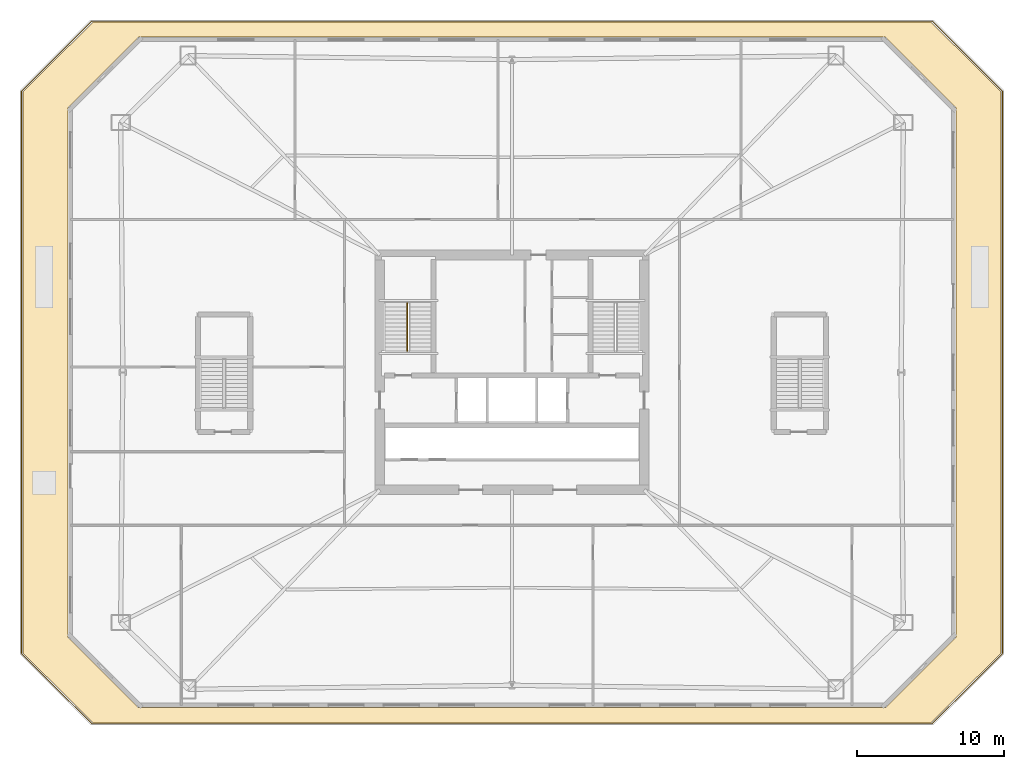
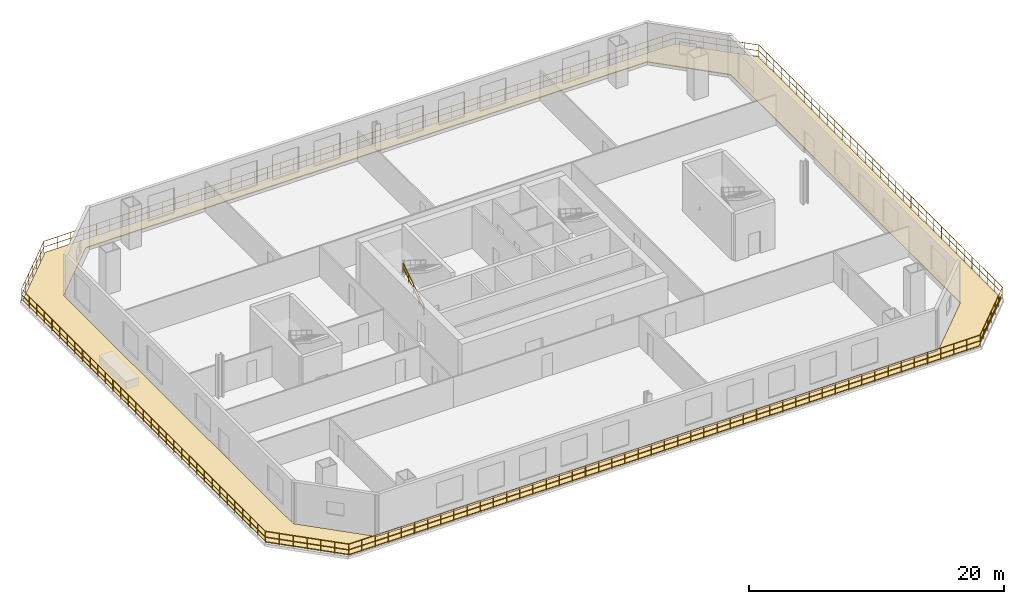
# One storey, part 7 of 8: 2 railings, 1 covering.
"""IFC4 building model written with IfcOpenShell, lengths in metres."""

from ifc_helpers import new_model, si_unit, direction, frame, origin, origin_2d, place, context, subcontext, project, spatial, polyline, circle, outline, extrude, material, layer, layer_set, type_object, element, save


model = new_model("IFC4")

# Units and contexts
model_context = context("Model", 3, precision=1e-05, world=origin(), true_north=direction((0.0, 1.0)))
body_context = subcontext(model_context, "Body", "Model", "MODEL_VIEW")
ifc_project = project(units=[si_unit("LENGTHUNIT", "METRE"), si_unit("AREAUNIT", "SQUARE_METRE"), si_unit("VOLUMEUNIT", "CUBIC_METRE"), si_unit("PLANEANGLEUNIT", "RADIAN"), si_unit("MASSUNIT", "GRAM", prefix="KILO")], contexts=[model_context])

# Site, building, storey
site_placement = place(None, origin())
site = spatial("IfcSite", under=ifc_project, at=site_placement, CompositionType="ELEMENT")
building_placement = place(site_placement, origin())
building = spatial("IfcBuilding", under=site, at=building_placement, Name="Caelvoria Tower", CompositionType="ELEMENT")
storey_placement = place(building_placement, frame((0.0, 0.0, 18.5)))
storey = spatial("IfcBuildingStorey", under=building, at=storey_placement, Name="L04", CompositionType="ELEMENT", Elevation=18.5)

# Railings
ifc_material_1 = material(Name="Bronze Anodised Aluminium and Stainless Steel", Category="steel")
railing_type_1 = type_object("IfcRailingType", Name="Exterior Terrace and Balcony Guardrail 1150", PredefinedType="GUARDRAIL", material=ifc_material_1)
railing_1_placement = place(storey_placement, frame((17.39208984375, 8.076904296875, 0.0)))
element("IfcRailing", 1, at=railing_1_placement, inside=storey, type_object=railing_type_1, Name="Terraced Podium Roof Guardrail L04", PredefinedType="GUARDRAIL", context=body_context, shape_type="SweptSolid", body=[
    extrude(circle(Radius=0.02392578125, at=origin_2d()), frame((0.0, 0.0, 1.1259765625), z_axis=(1.0, 0.0, 0.0), x_axis=(0.0, 1.0, 0.0)), (0.0, 0.0, 1.0), 57.2158203125),
    extrude(circle(Radius=0.02392578125, at=origin_2d()), frame((0.0, 0.0, 0.574951171875), z_axis=(1.0, 0.0, 0.0), x_axis=(0.0, 1.0, 0.0)), (0.0, 0.0, 1.0), 57.2158203125),
    extrude(circle(Radius=0.02392578125, at=origin_2d()), frame((57.2158203125, 0.0, 1.1259765625), z_axis=(0.707503495172, 0.706709844504, 0.0), x_axis=(-0.706709844504, 0.707503495172, 0.0)), (0.0, 0.0, 1.0), 6.767578125),
    extrude(circle(Radius=0.02392578125, at=origin_2d()), frame((57.2158203125, 0.0, 0.574951171875), z_axis=(0.707503495172, 0.706709844504, 0.0), x_axis=(-0.706709844504, 0.707503495172, 0.0)), (0.0, 0.0, 1.0), 6.767578125),
    extrude(circle(Radius=0.02392578125, at=origin_2d()), frame((62.00390625, 4.78271484375, 1.1259765625), z_axis=(0.0, 1.0, 0.0), x_axis=(-1.0, 0.0, 0.0)), (0.0, 0.0, 1.0), 38.28076171875),
    extrude(circle(Radius=0.02392578125, at=origin_2d()), frame((62.00390625, 4.78271484375, 0.574951171875), z_axis=(0.0, 1.0, 0.0), x_axis=(-1.0, 0.0, 0.0)), (0.0, 0.0, 1.0), 38.28076171875),
    extrude(circle(Radius=0.02392578125, at=origin_2d()), frame((62.00390625, 43.0634765625, 1.1259765625), z_axis=(-0.707503495172, 0.706709844504, 0.0), x_axis=(-0.706709844504, -0.707503495172, 0.0)), (0.0, 0.0, 1.0), 6.767578125),
    extrude(circle(Radius=0.02392578125, at=origin_2d()), frame((62.00390625, 43.0634765625, 0.574951171875), z_axis=(-0.707503495172, 0.706709844504, 0.0), x_axis=(-0.706709844504, -0.707503495172, 0.0)), (0.0, 0.0, 1.0), 6.767578125),
    extrude(circle(Radius=0.02392578125, at=origin_2d()), frame((57.2158203125, 47.84619140625, 1.1259765625), z_axis=(-1.0, 0.0, 0.0), x_axis=(0.0, -1.0, 0.0)), (0.0, 0.0, 1.0), 57.2158203125),
    extrude(circle(Radius=0.02392578125, at=origin_2d()), frame((57.2158203125, 47.84619140625, 0.574951171875), z_axis=(-1.0, 0.0, 0.0), x_axis=(0.0, -1.0, 0.0)), (0.0, 0.0, 1.0), 57.2158203125),
    extrude(circle(Radius=0.02392578125, at=origin_2d()), frame((0.0, 47.84619140625, 1.1259765625), z_axis=(-0.707503495172, -0.706709844504, 0.0), x_axis=(0.706709844504, -0.707503495172, 0.0)), (0.0, 0.0, 1.0), 6.767578125),
    extrude(circle(Radius=0.02392578125, at=origin_2d()), frame((0.0, 47.84619140625, 0.574951171875), z_axis=(-0.707503495172, -0.706709844504, 0.0), x_axis=(0.706709844504, -0.707503495172, 0.0)), (0.0, 0.0, 1.0), 6.767578125),
    extrude(circle(Radius=0.02392578125, at=origin_2d()), frame((-4.7880859375, 43.0634765625, 1.1259765625), z_axis=(0.0, -1.0, 0.0), x_axis=(1.0, 0.0, 0.0)), (0.0, 0.0, 1.0), 38.28076171875),
    extrude(circle(Radius=0.02392578125, at=origin_2d()), frame((-4.7880859375, 43.0634765625, 0.574951171875), z_axis=(0.0, -1.0, 0.0), x_axis=(1.0, 0.0, 0.0)), (0.0, 0.0, 1.0), 38.28076171875),
    extrude(circle(Radius=0.02392578125, at=origin_2d()), frame((-4.7880859375, 4.78271484375, 1.1259765625), z_axis=(0.707503495172, -0.706709844504, 0.0), x_axis=(0.706709844504, 0.707503495172, 0.0)), (0.0, 0.0, 1.0), 6.767578125),
    extrude(circle(Radius=0.02392578125, at=origin_2d()), frame((-4.7880859375, 4.78271484375, 0.574951171875), z_axis=(0.707503495172, -0.706709844504, 0.0), x_axis=(0.706709844504, 0.707503495172, 0.0)), (0.0, 0.0, 1.0), 6.767578125),
    extrude(circle(Radius=0.02099609375, at=origin_2d()), origin(), (0.0, 0.0, 1.0), 1.101806640625),
    extrude(circle(Radius=0.02099609375, at=origin_2d()), frame((1.19189453125, 0.0, 0.0)), (0.0, 0.0, 1.0), 1.101806640625),
    extrude(circle(Radius=0.02099609375, at=origin_2d()), frame((2.384033203125, 0.0, 0.0)), (0.0, 0.0, 1.0), 1.101806640625),
    extrude(circle(Radius=0.02099609375, at=origin_2d()), frame((3.575927734375, 0.0, 0.0)), (0.0, 0.0, 1.0), 1.101806640625),
    extrude(circle(Radius=0.02099609375, at=origin_2d()), frame((4.76806640625, 0.0, 0.0)), (0.0, 0.0, 1.0), 1.101806640625),
    extrude(circle(Radius=0.02099609375, at=origin_2d()), frame((5.9599609375, 0.0, 0.0)), (0.0, 0.0, 1.0), 1.101806640625),
    extrude(circle(Radius=0.02099609375, at=origin_2d()), frame((7.15185546875, 0.0, 0.0)), (0.0, 0.0, 1.0), 1.101806640625),
    extrude(circle(Radius=0.02099609375, at=origin_2d()), frame((8.343994140625, 0.0, 0.0)), (0.0, 0.0, 1.0), 1.101806640625),
    extrude(circle(Radius=0.02099609375, at=origin_2d()), frame((9.535888671875, 0.0, 0.0)), (0.0, 0.0, 1.0), 1.101806640625),
    extrude(circle(Radius=0.02099609375, at=origin_2d()), frame((10.72802734375, 0.0, 0.0)), (0.0, 0.0, 1.0), 1.101806640625),
    extrude(circle(Radius=0.02099609375, at=origin_2d()), frame((11.919921875, 0.0, 0.0)), (0.0, 0.0, 1.0), 1.101806640625),
    extrude(circle(Radius=0.02099609375, at=origin_2d()), frame((13.112060546875, 0.0, 0.0)), (0.0, 0.0, 1.0), 1.101806640625),
    extrude(circle(Radius=0.02099609375, at=origin_2d()), frame((14.303955078125, 0.0, 0.0)), (0.0, 0.0, 1.0), 1.101806640625),
    extrude(circle(Radius=0.02099609375, at=origin_2d()), frame((15.495849609375, 0.0, 0.0)), (0.0, 0.0, 1.0), 1.101806640625),
    extrude(circle(Radius=0.02099609375, at=origin_2d()), frame((16.68798828125, 0.0, 0.0)), (0.0, 0.0, 1.0), 1.101806640625),
    extrude(circle(Radius=0.02099609375, at=origin_2d()), frame((17.8798828125, 0.0, 0.0)), (0.0, 0.0, 1.0), 1.101806640625),
    extrude(circle(Radius=0.02099609375, at=origin_2d()), frame((19.072021484375, 0.0, 0.0)), (0.0, 0.0, 1.0), 1.101806640625),
    extrude(circle(Radius=0.02099609375, at=origin_2d()), frame((20.263916015625, 0.0, 0.0)), (0.0, 0.0, 1.0), 1.101806640625),
    extrude(circle(Radius=0.02099609375, at=origin_2d()), frame((21.4560546875, 0.0, 0.0)), (0.0, 0.0, 1.0), 1.101806640625),
    extrude(circle(Radius=0.02099609375, at=origin_2d()), frame((22.64794921875, 0.0, 0.0)), (0.0, 0.0, 1.0), 1.101806640625),
    extrude(circle(Radius=0.02099609375, at=origin_2d()), frame((23.83984375, 0.0, 0.0)), (0.0, 0.0, 1.0), 1.101806640625),
    extrude(circle(Radius=0.02099609375, at=origin_2d()), frame((25.031982421875, 0.0, 0.0)), (0.0, 0.0, 1.0), 1.101806640625),
    extrude(circle(Radius=0.02099609375, at=origin_2d()), frame((26.223876953125, 0.0, 0.0)), (0.0, 0.0, 1.0), 1.101806640625),
    extrude(circle(Radius=0.02099609375, at=origin_2d()), frame((27.416015625, 0.0, 0.0)), (0.0, 0.0, 1.0), 1.101806640625),
    extrude(circle(Radius=0.02099609375, at=origin_2d()), frame((28.60791015625, 0.0, 0.0)), (0.0, 0.0, 1.0), 1.101806640625),
    extrude(circle(Radius=0.02099609375, at=origin_2d()), frame((29.7998046875, 0.0, 0.0)), (0.0, 0.0, 1.0), 1.101806640625),
    extrude(circle(Radius=0.02099609375, at=origin_2d()), frame((30.991943359375, 0.0, 0.0)), (0.0, 0.0, 1.0), 1.101806640625),
    extrude(circle(Radius=0.02099609375, at=origin_2d()), frame((32.183837890625, 0.0, 0.0)), (0.0, 0.0, 1.0), 1.101806640625),
    extrude(circle(Radius=0.02099609375, at=origin_2d()), frame((33.3759765625, 0.0, 0.0)), (0.0, 0.0, 1.0), 1.101806640625),
    extrude(circle(Radius=0.02099609375, at=origin_2d()), frame((34.56787109375, 0.0, 0.0)), (0.0, 0.0, 1.0), 1.101806640625),
    extrude(circle(Radius=0.02099609375, at=origin_2d()), frame((35.759765625, 0.0, 0.0)), (0.0, 0.0, 1.0), 1.101806640625),
    extrude(circle(Radius=0.02099609375, at=origin_2d()), frame((36.951904296875, 0.0, 0.0)), (0.0, 0.0, 1.0), 1.101806640625),
    extrude(circle(Radius=0.02099609375, at=origin_2d()), frame((38.143798828125, 0.0, 0.0)), (0.0, 0.0, 1.0), 1.101806640625),
    extrude(circle(Radius=0.02099609375, at=origin_2d()), frame((39.3359375, 0.0, 0.0)), (0.0, 0.0, 1.0), 1.101806640625),
    extrude(circle(Radius=0.02099609375, at=origin_2d()), frame((40.52783203125, 0.0, 0.0)), (0.0, 0.0, 1.0), 1.101806640625),
    extrude(circle(Radius=0.02099609375, at=origin_2d()), frame((41.719970703125, 0.0, 0.0)), (0.0, 0.0, 1.0), 1.101806640625),
    extrude(circle(Radius=0.02099609375, at=origin_2d()), frame((42.911865234375, 0.0, 0.0)), (0.0, 0.0, 1.0), 1.101806640625),
    extrude(circle(Radius=0.02099609375, at=origin_2d()), frame((44.103759765625, 0.0, 0.0)), (0.0, 0.0, 1.0), 1.101806640625),
    extrude(circle(Radius=0.02099609375, at=origin_2d()), frame((45.2958984375, 0.0, 0.0)), (0.0, 0.0, 1.0), 1.101806640625),
    extrude(circle(Radius=0.02099609375, at=origin_2d()), frame((46.48779296875, 0.0, 0.0)), (0.0, 0.0, 1.0), 1.101806640625),
    extrude(circle(Radius=0.02099609375, at=origin_2d()), frame((47.679931640625, 0.0, 0.0)), (0.0, 0.0, 1.0), 1.101806640625),
    extrude(circle(Radius=0.02099609375, at=origin_2d()), frame((48.871826171875, 0.0, 0.0)), (0.0, 0.0, 1.0), 1.101806640625),
    extrude(circle(Radius=0.02099609375, at=origin_2d()), frame((50.06396484375, 0.0, 0.0)), (0.0, 0.0, 1.0), 1.101806640625),
    extrude(circle(Radius=0.02099609375, at=origin_2d()), frame((51.255859375, 0.0, 0.0)), (0.0, 0.0, 1.0), 1.101806640625),
    extrude(circle(Radius=0.02099609375, at=origin_2d()), frame((52.44775390625, 0.0, 0.0)), (0.0, 0.0, 1.0), 1.101806640625),
    extrude(circle(Radius=0.02099609375, at=origin_2d()), frame((53.639892578125, 0.0, 0.0)), (0.0, 0.0, 1.0), 1.101806640625),
    extrude(circle(Radius=0.02099609375, at=origin_2d()), frame((54.831787109375, 0.0, 0.0)), (0.0, 0.0, 1.0), 1.101806640625),
    extrude(circle(Radius=0.02099609375, at=origin_2d()), frame((56.02392578125, 0.0, 0.0)), (0.0, 0.0, 1.0), 1.101806640625),
    extrude(circle(Radius=0.02099609375, at=origin_2d()), frame((57.2158203125, 0.0, 0.0)), (0.0, 0.0, 1.0), 1.101806640625),
    extrude(circle(Radius=0.02099609375, at=origin_2d()), frame((58.013916015625, 0.797119140625, 0.0)), (0.0, 0.0, 1.0), 1.101806640625),
    extrude(circle(Radius=0.02099609375, at=origin_2d()), frame((58.811767578125, 1.59423828125, 0.0)), (0.0, 0.0, 1.0), 1.101806640625),
    extrude(circle(Radius=0.02099609375, at=origin_2d()), frame((59.60986328125, 2.391357421875, 0.0)), (0.0, 0.0, 1.0), 1.101806640625),
    extrude(circle(Radius=0.02099609375, at=origin_2d()), frame((60.407958984375, 3.1884765625, 0.0)), (0.0, 0.0, 1.0), 1.101806640625),
    extrude(circle(Radius=0.02099609375, at=origin_2d()), frame((61.205810546875, 3.985595703125, 0.0)), (0.0, 0.0, 1.0), 1.101806640625),
    extrude(circle(Radius=0.02099609375, at=origin_2d()), frame((62.00390625, 4.78271484375, 0.0)), (0.0, 0.0, 1.0), 1.101806640625),
    extrude(circle(Radius=0.02099609375, at=origin_2d()), frame((62.00390625, 5.97900390625, 0.0)), (0.0, 0.0, 1.0), 1.101806640625),
    extrude(circle(Radius=0.02099609375, at=origin_2d()), frame((62.00390625, 7.17529296875, 0.0)), (0.0, 0.0, 1.0), 1.101806640625),
    extrude(circle(Radius=0.02099609375, at=origin_2d()), frame((62.00390625, 8.37158203125, 0.0)), (0.0, 0.0, 1.0), 1.101806640625),
    extrude(circle(Radius=0.02099609375, at=origin_2d()), frame((62.00390625, 9.56787109375, 0.0)), (0.0, 0.0, 1.0), 1.101806640625),
    extrude(circle(Radius=0.02099609375, at=origin_2d()), frame((62.00390625, 10.76416015625, 0.0)), (0.0, 0.0, 1.0), 1.101806640625),
    extrude(circle(Radius=0.02099609375, at=origin_2d()), frame((62.00390625, 11.96044921875, 0.0)), (0.0, 0.0, 1.0), 1.101806640625),
    extrude(circle(Radius=0.02099609375, at=origin_2d()), frame((62.00390625, 13.15673828125, 0.0)), (0.0, 0.0, 1.0), 1.101806640625),
    extrude(circle(Radius=0.02099609375, at=origin_2d()), frame((62.00390625, 14.35302734375, 0.0)), (0.0, 0.0, 1.0), 1.101806640625),
    extrude(circle(Radius=0.02099609375, at=origin_2d()), frame((62.00390625, 15.549072265625, 0.0)), (0.0, 0.0, 1.0), 1.101806640625),
    extrude(circle(Radius=0.02099609375, at=origin_2d()), frame((62.00390625, 16.745361328125, 0.0)), (0.0, 0.0, 1.0), 1.101806640625),
    extrude(circle(Radius=0.02099609375, at=origin_2d()), frame((62.00390625, 17.941650390625, 0.0)), (0.0, 0.0, 1.0), 1.101806640625),
    extrude(circle(Radius=0.02099609375, at=origin_2d()), frame((62.00390625, 19.137939453125, 0.0)), (0.0, 0.0, 1.0), 1.101806640625),
    extrude(circle(Radius=0.02099609375, at=origin_2d()), frame((62.00390625, 20.334228515625, 0.0)), (0.0, 0.0, 1.0), 1.101806640625),
    extrude(circle(Radius=0.02099609375, at=origin_2d()), frame((62.00390625, 21.530517578125, 0.0)), (0.0, 0.0, 1.0), 1.101806640625),
    extrude(circle(Radius=0.02099609375, at=origin_2d()), frame((62.00390625, 22.726806640625, 0.0)), (0.0, 0.0, 1.0), 1.101806640625),
    extrude(circle(Radius=0.02099609375, at=origin_2d()), frame((62.00390625, 23.923095703125, 0.0)), (0.0, 0.0, 1.0), 1.101806640625),
    extrude(circle(Radius=0.02099609375, at=origin_2d()), frame((62.00390625, 25.119384765625, 0.0)), (0.0, 0.0, 1.0), 1.101806640625),
    extrude(circle(Radius=0.02099609375, at=origin_2d()), frame((62.00390625, 26.315673828125, 0.0)), (0.0, 0.0, 1.0), 1.101806640625),
    extrude(circle(Radius=0.02099609375, at=origin_2d()), frame((62.00390625, 27.511962890625, 0.0)), (0.0, 0.0, 1.0), 1.101806640625),
    extrude(circle(Radius=0.02099609375, at=origin_2d()), frame((62.00390625, 28.708251953125, 0.0)), (0.0, 0.0, 1.0), 1.101806640625),
    extrude(circle(Radius=0.02099609375, at=origin_2d()), frame((62.00390625, 29.904541015625, 0.0)), (0.0, 0.0, 1.0), 1.101806640625),
    extrude(circle(Radius=0.02099609375, at=origin_2d()), frame((62.00390625, 31.100830078125, 0.0)), (0.0, 0.0, 1.0), 1.101806640625),
    extrude(circle(Radius=0.02099609375, at=origin_2d()), frame((62.00390625, 32.297119140625, 0.0)), (0.0, 0.0, 1.0), 1.101806640625),
    extrude(circle(Radius=0.02099609375, at=origin_2d()), frame((62.00390625, 33.4931640625, 0.0)), (0.0, 0.0, 1.0), 1.101806640625),
    extrude(circle(Radius=0.02099609375, at=origin_2d()), frame((62.00390625, 34.689453125, 0.0)), (0.0, 0.0, 1.0), 1.101806640625),
    extrude(circle(Radius=0.02099609375, at=origin_2d()), frame((62.00390625, 35.8857421875, 0.0)), (0.0, 0.0, 1.0), 1.101806640625),
    extrude(circle(Radius=0.02099609375, at=origin_2d()), frame((62.00390625, 37.08203125, 0.0)), (0.0, 0.0, 1.0), 1.101806640625),
    extrude(circle(Radius=0.02099609375, at=origin_2d()), frame((62.00390625, 38.2783203125, 0.0)), (0.0, 0.0, 1.0), 1.101806640625),
    extrude(circle(Radius=0.02099609375, at=origin_2d()), frame((62.00390625, 39.474609375, 0.0)), (0.0, 0.0, 1.0), 1.101806640625),
    extrude(circle(Radius=0.02099609375, at=origin_2d()), frame((62.00390625, 40.6708984375, 0.0)), (0.0, 0.0, 1.0), 1.101806640625),
    extrude(circle(Radius=0.02099609375, at=origin_2d()), frame((62.00390625, 41.8671875, 0.0)), (0.0, 0.0, 1.0), 1.101806640625),
    extrude(circle(Radius=0.02099609375, at=origin_2d()), frame((62.00390625, 43.0634765625, 0.0)), (0.0, 0.0, 1.0), 1.101806640625),
    extrude(circle(Radius=0.02099609375, at=origin_2d()), frame((61.205810546875, 43.860595703125, 0.0)), (0.0, 0.0, 1.0), 1.101806640625),
    extrude(circle(Radius=0.02099609375, at=origin_2d()), frame((60.407958984375, 44.65771484375, 0.0)), (0.0, 0.0, 1.0), 1.101806640625),
    extrude(circle(Radius=0.02099609375, at=origin_2d()), frame((59.60986328125, 45.454833984375, 0.0)), (0.0, 0.0, 1.0), 1.101806640625),
    extrude(circle(Radius=0.02099609375, at=origin_2d()), frame((58.811767578125, 46.251953125, 0.0)), (0.0, 0.0, 1.0), 1.101806640625),
    extrude(circle(Radius=0.02099609375, at=origin_2d()), frame((58.013916015625, 47.049072265625, 0.0)), (0.0, 0.0, 1.0), 1.101806640625),
    extrude(circle(Radius=0.02099609375, at=origin_2d()), frame((57.2158203125, 47.84619140625, 0.0)), (0.0, 0.0, 1.0), 1.101806640625),
    extrude(circle(Radius=0.02099609375, at=origin_2d()), frame((56.02392578125, 47.84619140625, 0.0)), (0.0, 0.0, 1.0), 1.101806640625),
    extrude(circle(Radius=0.02099609375, at=origin_2d()), frame((54.831787109375, 47.84619140625, 0.0)), (0.0, 0.0, 1.0), 1.101806640625),
    extrude(circle(Radius=0.02099609375, at=origin_2d()), frame((53.639892578125, 47.84619140625, 0.0)), (0.0, 0.0, 1.0), 1.101806640625),
    extrude(circle(Radius=0.02099609375, at=origin_2d()), frame((52.44775390625, 47.84619140625, 0.0)), (0.0, 0.0, 1.0), 1.101806640625),
    extrude(circle(Radius=0.02099609375, at=origin_2d()), frame((51.255859375, 47.84619140625, 0.0)), (0.0, 0.0, 1.0), 1.101806640625),
    extrude(circle(Radius=0.02099609375, at=origin_2d()), frame((50.06396484375, 47.84619140625, 0.0)), (0.0, 0.0, 1.0), 1.101806640625),
    extrude(circle(Radius=0.02099609375, at=origin_2d()), frame((48.871826171875, 47.84619140625, 0.0)), (0.0, 0.0, 1.0), 1.101806640625),
    extrude(circle(Radius=0.02099609375, at=origin_2d()), frame((47.679931640625, 47.84619140625, 0.0)), (0.0, 0.0, 1.0), 1.101806640625),
    extrude(circle(Radius=0.02099609375, at=origin_2d()), frame((46.48779296875, 47.84619140625, 0.0)), (0.0, 0.0, 1.0), 1.101806640625),
    extrude(circle(Radius=0.02099609375, at=origin_2d()), frame((45.2958984375, 47.84619140625, 0.0)), (0.0, 0.0, 1.0), 1.101806640625),
    extrude(circle(Radius=0.02099609375, at=origin_2d()), frame((44.103759765625, 47.84619140625, 0.0)), (0.0, 0.0, 1.0), 1.101806640625),
    extrude(circle(Radius=0.02099609375, at=origin_2d()), frame((42.911865234375, 47.84619140625, 0.0)), (0.0, 0.0, 1.0), 1.101806640625),
    extrude(circle(Radius=0.02099609375, at=origin_2d()), frame((41.719970703125, 47.84619140625, 0.0)), (0.0, 0.0, 1.0), 1.101806640625),
    extrude(circle(Radius=0.02099609375, at=origin_2d()), frame((40.52783203125, 47.84619140625, 0.0)), (0.0, 0.0, 1.0), 1.101806640625),
    extrude(circle(Radius=0.02099609375, at=origin_2d()), frame((39.3359375, 47.84619140625, 0.0)), (0.0, 0.0, 1.0), 1.101806640625),
    extrude(circle(Radius=0.02099609375, at=origin_2d()), frame((38.143798828125, 47.84619140625, 0.0)), (0.0, 0.0, 1.0), 1.101806640625),
    extrude(circle(Radius=0.02099609375, at=origin_2d()), frame((36.951904296875, 47.84619140625, 0.0)), (0.0, 0.0, 1.0), 1.101806640625),
    extrude(circle(Radius=0.02099609375, at=origin_2d()), frame((35.759765625, 47.84619140625, 0.0)), (0.0, 0.0, 1.0), 1.101806640625),
    extrude(circle(Radius=0.02099609375, at=origin_2d()), frame((34.56787109375, 47.84619140625, 0.0)), (0.0, 0.0, 1.0), 1.101806640625),
    extrude(circle(Radius=0.02099609375, at=origin_2d()), frame((33.3759765625, 47.84619140625, 0.0)), (0.0, 0.0, 1.0), 1.101806640625),
    extrude(circle(Radius=0.02099609375, at=origin_2d()), frame((32.183837890625, 47.84619140625, 0.0)), (0.0, 0.0, 1.0), 1.101806640625),
    extrude(circle(Radius=0.02099609375, at=origin_2d()), frame((30.991943359375, 47.84619140625, 0.0)), (0.0, 0.0, 1.0), 1.101806640625),
    extrude(circle(Radius=0.02099609375, at=origin_2d()), frame((29.7998046875, 47.84619140625, 0.0)), (0.0, 0.0, 1.0), 1.101806640625),
    extrude(circle(Radius=0.02099609375, at=origin_2d()), frame((28.60791015625, 47.84619140625, 0.0)), (0.0, 0.0, 1.0), 1.101806640625),
    extrude(circle(Radius=0.02099609375, at=origin_2d()), frame((27.416015625, 47.84619140625, 0.0)), (0.0, 0.0, 1.0), 1.101806640625),
    extrude(circle(Radius=0.02099609375, at=origin_2d()), frame((26.223876953125, 47.84619140625, 0.0)), (0.0, 0.0, 1.0), 1.101806640625),
    extrude(circle(Radius=0.02099609375, at=origin_2d()), frame((25.031982421875, 47.84619140625, 0.0)), (0.0, 0.0, 1.0), 1.101806640625),
    extrude(circle(Radius=0.02099609375, at=origin_2d()), frame((23.83984375, 47.84619140625, 0.0)), (0.0, 0.0, 1.0), 1.101806640625),
    extrude(circle(Radius=0.02099609375, at=origin_2d()), frame((22.64794921875, 47.84619140625, 0.0)), (0.0, 0.0, 1.0), 1.101806640625),
    extrude(circle(Radius=0.02099609375, at=origin_2d()), frame((21.4560546875, 47.84619140625, 0.0)), (0.0, 0.0, 1.0), 1.101806640625),
    extrude(circle(Radius=0.02099609375, at=origin_2d()), frame((20.263916015625, 47.84619140625, 0.0)), (0.0, 0.0, 1.0), 1.101806640625),
    extrude(circle(Radius=0.02099609375, at=origin_2d()), frame((19.072021484375, 47.84619140625, 0.0)), (0.0, 0.0, 1.0), 1.101806640625),
    extrude(circle(Radius=0.02099609375, at=origin_2d()), frame((17.8798828125, 47.84619140625, 0.0)), (0.0, 0.0, 1.0), 1.101806640625),
    extrude(circle(Radius=0.02099609375, at=origin_2d()), frame((16.68798828125, 47.84619140625, 0.0)), (0.0, 0.0, 1.0), 1.101806640625),
    extrude(circle(Radius=0.02099609375, at=origin_2d()), frame((15.495849609375, 47.84619140625, 0.0)), (0.0, 0.0, 1.0), 1.101806640625),
    extrude(circle(Radius=0.02099609375, at=origin_2d()), frame((14.303955078125, 47.84619140625, 0.0)), (0.0, 0.0, 1.0), 1.101806640625),
    extrude(circle(Radius=0.02099609375, at=origin_2d()), frame((13.112060546875, 47.84619140625, 0.0)), (0.0, 0.0, 1.0), 1.101806640625),
    extrude(circle(Radius=0.02099609375, at=origin_2d()), frame((11.919921875, 47.84619140625, 0.0)), (0.0, 0.0, 1.0), 1.101806640625),
    extrude(circle(Radius=0.02099609375, at=origin_2d()), frame((10.72802734375, 47.84619140625, 0.0)), (0.0, 0.0, 1.0), 1.101806640625),
    extrude(circle(Radius=0.02099609375, at=origin_2d()), frame((9.535888671875, 47.84619140625, 0.0)), (0.0, 0.0, 1.0), 1.101806640625),
    extrude(circle(Radius=0.02099609375, at=origin_2d()), frame((8.343994140625, 47.84619140625, 0.0)), (0.0, 0.0, 1.0), 1.101806640625),
    extrude(circle(Radius=0.02099609375, at=origin_2d()), frame((7.15185546875, 47.84619140625, 0.0)), (0.0, 0.0, 1.0), 1.101806640625),
    extrude(circle(Radius=0.02099609375, at=origin_2d()), frame((5.9599609375, 47.84619140625, 0.0)), (0.0, 0.0, 1.0), 1.101806640625),
    extrude(circle(Radius=0.02099609375, at=origin_2d()), frame((4.76806640625, 47.84619140625, 0.0)), (0.0, 0.0, 1.0), 1.101806640625),
    extrude(circle(Radius=0.02099609375, at=origin_2d()), frame((3.575927734375, 47.84619140625, 0.0)), (0.0, 0.0, 1.0), 1.101806640625),
    extrude(circle(Radius=0.02099609375, at=origin_2d()), frame((2.384033203125, 47.84619140625, 0.0)), (0.0, 0.0, 1.0), 1.101806640625),
    extrude(circle(Radius=0.02099609375, at=origin_2d()), frame((1.19189453125, 47.84619140625, 0.0)), (0.0, 0.0, 1.0), 1.101806640625),
    extrude(circle(Radius=0.02099609375, at=origin_2d()), frame((0.0, 47.84619140625, 0.0)), (0.0, 0.0, 1.0), 1.101806640625),
    extrude(circle(Radius=0.02099609375, at=origin_2d()), frame((-0.798095703125, 47.049072265625, 0.0)), (0.0, 0.0, 1.0), 1.101806640625),
    extrude(circle(Radius=0.02099609375, at=origin_2d()), frame((-1.595947265625, 46.251953125, 0.0)), (0.0, 0.0, 1.0), 1.101806640625),
    extrude(circle(Radius=0.02099609375, at=origin_2d()), frame((-2.39404296875, 45.454833984375, 0.0)), (0.0, 0.0, 1.0), 1.101806640625),
    extrude(circle(Radius=0.02099609375, at=origin_2d()), frame((-3.192138671875, 44.65771484375, 0.0)), (0.0, 0.0, 1.0), 1.101806640625),
    extrude(circle(Radius=0.02099609375, at=origin_2d()), frame((-3.989990234375, 43.860595703125, 0.0)), (0.0, 0.0, 1.0), 1.101806640625),
    extrude(circle(Radius=0.02099609375, at=origin_2d()), frame((-4.7880859375, 43.0634765625, 0.0)), (0.0, 0.0, 1.0), 1.101806640625),
    extrude(circle(Radius=0.02099609375, at=origin_2d()), frame((-4.7880859375, 41.8671875, 0.0)), (0.0, 0.0, 1.0), 1.101806640625),
    extrude(circle(Radius=0.02099609375, at=origin_2d()), frame((-4.7880859375, 40.6708984375, 0.0)), (0.0, 0.0, 1.0), 1.101806640625),
    extrude(circle(Radius=0.02099609375, at=origin_2d()), frame((-4.7880859375, 39.474609375, 0.0)), (0.0, 0.0, 1.0), 1.101806640625),
    extrude(circle(Radius=0.02099609375, at=origin_2d()), frame((-4.7880859375, 38.2783203125, 0.0)), (0.0, 0.0, 1.0), 1.101806640625),
    extrude(circle(Radius=0.02099609375, at=origin_2d()), frame((-4.7880859375, 37.08203125, 0.0)), (0.0, 0.0, 1.0), 1.101806640625),
    extrude(circle(Radius=0.02099609375, at=origin_2d()), frame((-4.7880859375, 35.8857421875, 0.0)), (0.0, 0.0, 1.0), 1.101806640625),
    extrude(circle(Radius=0.02099609375, at=origin_2d()), frame((-4.7880859375, 34.689453125, 0.0)), (0.0, 0.0, 1.0), 1.101806640625),
    extrude(circle(Radius=0.02099609375, at=origin_2d()), frame((-4.7880859375, 33.4931640625, 0.0)), (0.0, 0.0, 1.0), 1.101806640625),
    extrude(circle(Radius=0.02099609375, at=origin_2d()), frame((-4.7880859375, 32.297119140625, 0.0)), (0.0, 0.0, 1.0), 1.101806640625),
    extrude(circle(Radius=0.02099609375, at=origin_2d()), frame((-4.7880859375, 31.100830078125, 0.0)), (0.0, 0.0, 1.0), 1.101806640625),
    extrude(circle(Radius=0.02099609375, at=origin_2d()), frame((-4.7880859375, 29.904541015625, 0.0)), (0.0, 0.0, 1.0), 1.101806640625),
    extrude(circle(Radius=0.02099609375, at=origin_2d()), frame((-4.7880859375, 28.708251953125, 0.0)), (0.0, 0.0, 1.0), 1.101806640625),
    extrude(circle(Radius=0.02099609375, at=origin_2d()), frame((-4.7880859375, 27.511962890625, 0.0)), (0.0, 0.0, 1.0), 1.101806640625),
    extrude(circle(Radius=0.02099609375, at=origin_2d()), frame((-4.7880859375, 26.315673828125, 0.0)), (0.0, 0.0, 1.0), 1.101806640625),
    extrude(circle(Radius=0.02099609375, at=origin_2d()), frame((-4.7880859375, 25.119384765625, 0.0)), (0.0, 0.0, 1.0), 1.101806640625),
    extrude(circle(Radius=0.02099609375, at=origin_2d()), frame((-4.7880859375, 23.923095703125, 0.0)), (0.0, 0.0, 1.0), 1.101806640625),
    extrude(circle(Radius=0.02099609375, at=origin_2d()), frame((-4.7880859375, 22.726806640625, 0.0)), (0.0, 0.0, 1.0), 1.101806640625),
    extrude(circle(Radius=0.02099609375, at=origin_2d()), frame((-4.7880859375, 21.530517578125, 0.0)), (0.0, 0.0, 1.0), 1.101806640625),
    extrude(circle(Radius=0.02099609375, at=origin_2d()), frame((-4.7880859375, 20.334228515625, 0.0)), (0.0, 0.0, 1.0), 1.101806640625),
    extrude(circle(Radius=0.02099609375, at=origin_2d()), frame((-4.7880859375, 19.137939453125, 0.0)), (0.0, 0.0, 1.0), 1.101806640625),
    extrude(circle(Radius=0.02099609375, at=origin_2d()), frame((-4.7880859375, 17.941650390625, 0.0)), (0.0, 0.0, 1.0), 1.101806640625),
    extrude(circle(Radius=0.02099609375, at=origin_2d()), frame((-4.7880859375, 16.745361328125, 0.0)), (0.0, 0.0, 1.0), 1.101806640625),
    extrude(circle(Radius=0.02099609375, at=origin_2d()), frame((-4.7880859375, 15.549072265625, 0.0)), (0.0, 0.0, 1.0), 1.101806640625),
    extrude(circle(Radius=0.02099609375, at=origin_2d()), frame((-4.7880859375, 14.35302734375, 0.0)), (0.0, 0.0, 1.0), 1.101806640625),
    extrude(circle(Radius=0.02099609375, at=origin_2d()), frame((-4.7880859375, 13.15673828125, 0.0)), (0.0, 0.0, 1.0), 1.101806640625),
    extrude(circle(Radius=0.02099609375, at=origin_2d()), frame((-4.7880859375, 11.96044921875, 0.0)), (0.0, 0.0, 1.0), 1.101806640625),
    extrude(circle(Radius=0.02099609375, at=origin_2d()), frame((-4.7880859375, 10.76416015625, 0.0)), (0.0, 0.0, 1.0), 1.101806640625),
    extrude(circle(Radius=0.02099609375, at=origin_2d()), frame((-4.7880859375, 9.56787109375, 0.0)), (0.0, 0.0, 1.0), 1.101806640625),
    extrude(circle(Radius=0.02099609375, at=origin_2d()), frame((-4.7880859375, 8.37158203125, 0.0)), (0.0, 0.0, 1.0), 1.101806640625),
    extrude(circle(Radius=0.02099609375, at=origin_2d()), frame((-4.7880859375, 7.17529296875, 0.0)), (0.0, 0.0, 1.0), 1.101806640625),
    extrude(circle(Radius=0.02099609375, at=origin_2d()), frame((-4.7880859375, 5.97900390625, 0.0)), (0.0, 0.0, 1.0), 1.101806640625),
    extrude(circle(Radius=0.02099609375, at=origin_2d()), frame((-4.7880859375, 4.78271484375, 0.0)), (0.0, 0.0, 1.0), 1.101806640625),
    extrude(circle(Radius=0.02099609375, at=origin_2d()), frame((-3.989990234375, 3.985595703125, 0.0)), (0.0, 0.0, 1.0), 1.101806640625),
    extrude(circle(Radius=0.02099609375, at=origin_2d()), frame((-3.192138671875, 3.1884765625, 0.0)), (0.0, 0.0, 1.0), 1.101806640625),
    extrude(circle(Radius=0.02099609375, at=origin_2d()), frame((-2.39404296875, 2.391357421875, 0.0)), (0.0, 0.0, 1.0), 1.101806640625),
    extrude(circle(Radius=0.02099609375, at=origin_2d()), frame((-1.595947265625, 1.59423828125, 0.0)), (0.0, 0.0, 1.0), 1.101806640625),
    extrude(circle(Radius=0.02099609375, at=origin_2d()), frame((-0.798095703125, 0.797119140625, 0.0)), (0.0, 0.0, 1.0), 1.101806640625),
])
ifc_material_2 = material(Name="Brushed Stainless Steel Tube", Category="steel")
railing_type_2 = type_object("IfcRailingType", Name="Stair Tubular Stainless Handrail 920", PredefinedType="HANDRAIL", material=ifc_material_2)
railing_2_placement = place(storey_placement, frame((38.8701171875, 33.449951171875, 0.173095703125)))
element("IfcRailing", 2, at=railing_2_placement, inside=storey, type_object=railing_type_2, Name="ST-01 Flight 1 Handrail L04", PredefinedType="HANDRAIL", context=body_context, shape_type="SweptSolid", body=[
    extrude(circle(Radius=0.02392578125, at=origin_2d()), frame((0.0, 0.0, 0.89599609375), z_axis=(0.0, 0.846337383501, 0.532647194011), x_axis=(-1.0, 0.0, 0.0)), (0.0, 0.0, 1.0), 3.899169921875),
    extrude(circle(Radius=0.02392578125, at=origin_2d()), frame((0.0, 0.0, 0.4599609375), z_axis=(0.0, 0.846337383501, 0.532647194011), x_axis=(-1.0, 0.0, 0.0)), (0.0, 0.0, 1.0), 3.899169921875),
    extrude(circle(Radius=0.02099609375, at=origin_2d()), origin(), (0.0, 0.0, 1.0), 0.871826171875),
    extrude(circle(Radius=0.02099609375, at=origin_2d()), frame((0.0, 0.824951171875, 0.519287109375)), (0.0, 0.0, 1.0), 0.871826171875),
    extrude(circle(Radius=0.02099609375, at=origin_2d()), frame((0.0, 1.64990234375, 1.03857421875)), (0.0, 0.0, 1.0), 0.871826171875),
    extrude(circle(Radius=0.02099609375, at=origin_2d()), frame((0.0, 2.47509765625, 1.5576171875)), (0.0, 0.0, 1.0), 0.871826171875),
    extrude(circle(Radius=0.02099609375, at=origin_2d()), frame((0.0, 3.300048828125, 2.076904296875)), (0.0, 0.0, 1.0), 0.871826171875),
])

# Covering
ifc_material_3 = material(Name="SBS Waterproofing Membrane and Extruded Insulation", Category="bitumen")
ifc_layer = layer(ifc_material_3, 0.1201171875, Name="SBS Waterproofing Membrane and Extruded Insulation")
ifc_layer_set = layer_set([ifc_layer], Name="Terrace Insulated Waterproof Roofing Membrane 120 - SBS Waterproofing Membrane and Extruded Insulation")
covering_type = type_object("IfcCoveringType", Name="Terrace Insulated Waterproof Roofing Membrane 120", PredefinedType="ROOFING", material=ifc_layer_set)
covering_placement = place(storey_placement, origin())
element("IfcCovering", 3, at=covering_placement, inside=storey, type_object=covering_type, Name="Terraced Podium Waterproof Roofing L04", PredefinedType="ROOFING", context=body_context, shape_type="SweptSolid", body=[
    extrude(outline(polyline([(17.46875, 8.14111328125), (74.53125, 8.14111328125), (79.30908203125, 12.909423828125), (79.30908203125, 51.090576171875), (74.53125, 55.85888671875), (17.46875, 55.85888671875), (12.69091796875, 51.090576171875), (12.69091796875, 12.909423828125), (17.46875, 8.14111328125)]), holes=[polyline([(15.765625, 13.9794921875), (15.765625, 50.0205078125), (20.5703125, 54.82666015625), (71.4296875, 54.82666015625), (76.234375, 50.0205078125), (76.234375, 13.9794921875), (71.4296875, 9.17333984375), (20.5703125, 9.17333984375), (15.765625, 13.9794921875)])]), origin(), (0.0, 0.0, 1.0), 0.080078125),
])

save(model, "model.ifc")
